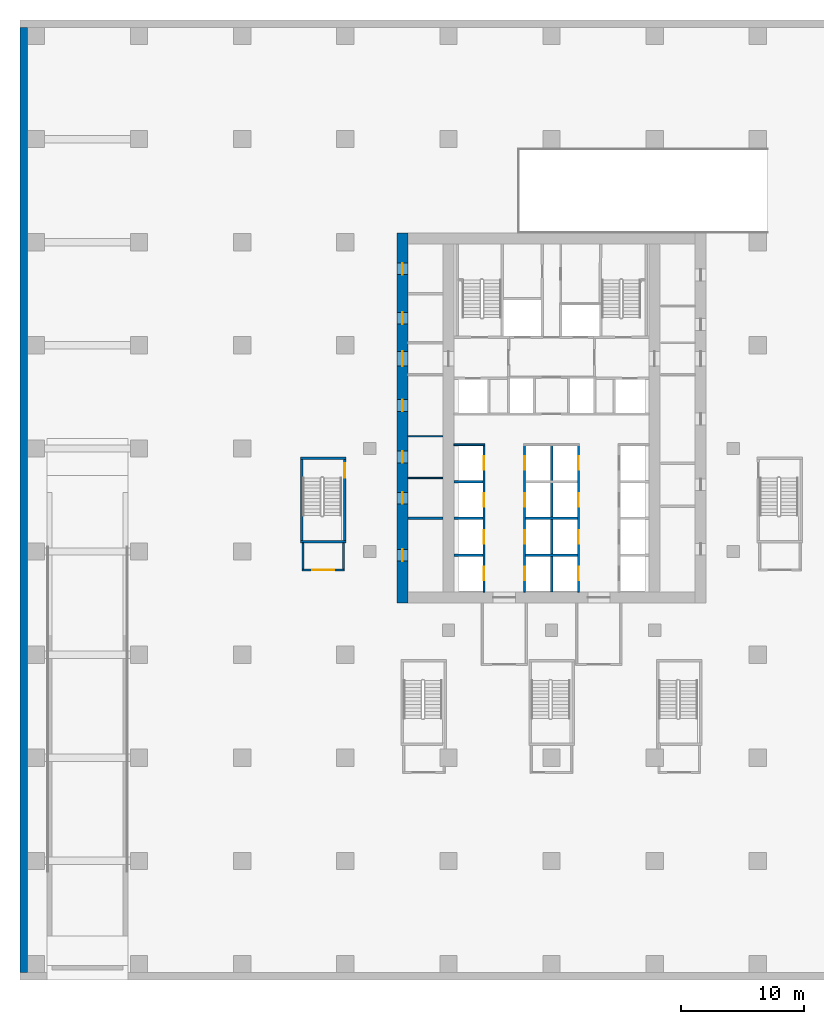
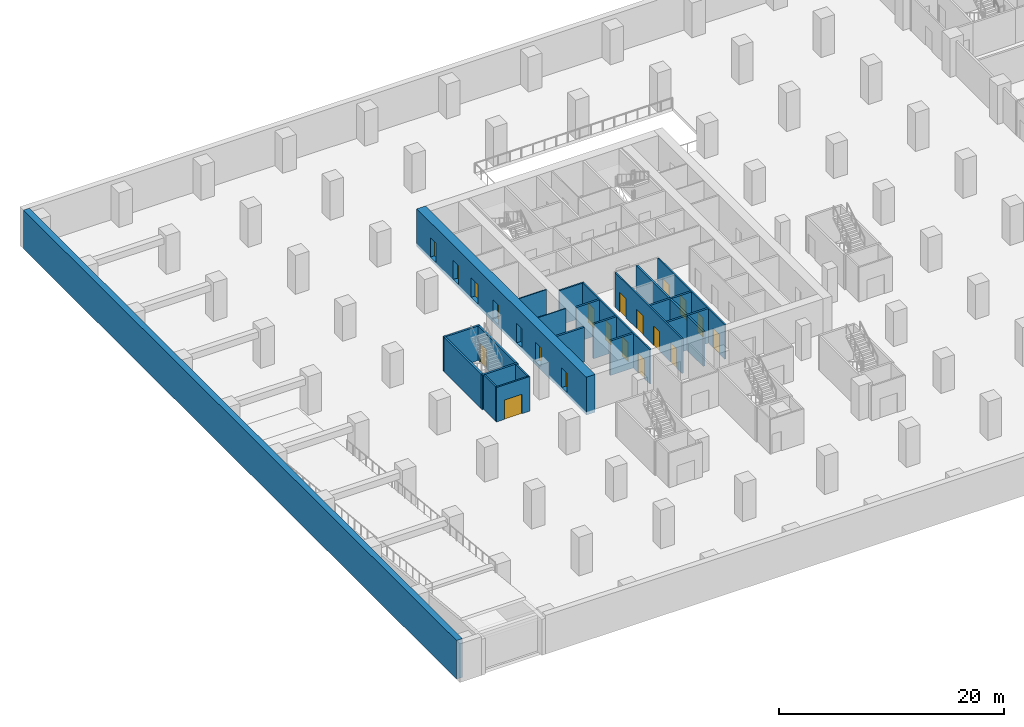
# One storey, part 5 of 17: 22 walls, 21 doors, 21 openings.
"""IFC4 building model written with IfcOpenShell, lengths in metres."""

import ifcopenshell
import ifcopenshell.guid

model = None  # the IFC model being written
_history = None  # IfcOwnerHistory: only IFC2X3 demands one
_inside = {}  # id of a spatial element -> (the spatial element, [elements in it])
_under = {}  # id of a project, library or spatial element -> (it, [spatial elements below it])
_declared = {}  # id of a project -> (the project, [libraries it declares])
_typed = {}  # id of a type object -> (the type object, [elements of that type])
_made_of = {}  # id of a material, layer set ... -> (it, [elements and type objects made of it])


def new_model(schema):
    """Start an empty IFC model of exactly this schema.

    Asked for "IFC4X3", IfcOpenShell would pick the latest addendum, in which some entities
    have other attributes; the version numbers below select the first issue.
    IFC2X3 requires an IfcOwnerHistory on every rooted entity: one is made here for all.
    """
    global model, _history
    if schema == "IFC4X3":
        model = ifcopenshell.file(schema_version=(4, 3, 0, 0))
    else:
        model = ifcopenshell.file(schema=schema)
    _inside.clear()
    _under.clear()
    _declared.clear()
    _typed.clear()
    _made_of.clear()
    _history = None
    if model.schema == "IFC2X3":
        org = make("IfcOrganization", Name="unknown")
        user = make(
            "IfcPersonAndOrganization",
            ThePerson=make("IfcPerson", FamilyName="unknown"),
            TheOrganization=org,
        )
        app = make(
            "IfcApplication",
            ApplicationDeveloper=org,
            Version="unknown",
            ApplicationFullName="unknown",
            ApplicationIdentifier="unknown",
        )
        _history = make(
            "IfcOwnerHistory",
            OwningUser=user,
            OwningApplication=app,
            ChangeAction="ADDED",
            CreationDate=0,
        )
    return model


def make(cls, **values):
    """One entity of the class cls with the attributes given. An attribute that is None is left unset."""
    return model.create_entity(
        cls, **{name: value for name, value in values.items() if value is not None}
    )


def rooted(cls, **values):
    """An entity with a GlobalId (a new one), such as an element, a storey or a relation."""
    return make(cls, GlobalId=ifcopenshell.guid.new(), OwnerHistory=_history, **values)


def si_unit(unit_type, name, prefix=None):
    """IfcSIUnit, for example si_unit("LENGTHUNIT", "METRE", prefix="MILLI")."""
    return make("IfcSIUnit", UnitType=unit_type, Prefix=prefix, Name=name)


def assignment(units):
    """IfcUnitAssignment: the units of a project."""
    return None if units is None else make("IfcUnitAssignment", Units=units)


def point(xyz):
    """IfcCartesianPoint."""
    return None if xyz is None else make("IfcCartesianPoint", Coordinates=xyz)


def direction(xyz):
    """IfcDirection."""
    return None if xyz is None else make("IfcDirection", DirectionRatios=xyz)


def frame(location, z_axis=None, x_axis=None):
    """IfcAxis2Placement3D, a coordinate frame: its origin and axes. An axis left out is left unset."""
    return make(
        "IfcAxis2Placement3D",
        Location=point(location),
        Axis=direction(z_axis),
        RefDirection=direction(x_axis),
    )


def frame_2d(location, x_axis=None):
    """IfcAxis2Placement2D, a coordinate frame in the plane: its origin and x axis."""
    return make(
        "IfcAxis2Placement2D", Location=point(location), RefDirection=direction(x_axis)
    )


def origin():
    """The frame at (0, 0, 0) with its axes left unset."""
    return frame((0.0, 0.0, 0.0))


def place(relative_to, where):
    """IfcLocalPlacement: puts the frame where relative to a parent placement (None: the world)."""
    return make(
        "IfcLocalPlacement", PlacementRelTo=relative_to, RelativePlacement=where
    )


def context(
    kind, dimensions, precision=None, world=None, true_north=None, identifier=None
):
    """IfcGeometricRepresentationContext, for example the 3D "Model" context."""
    return make(
        "IfcGeometricRepresentationContext",
        ContextIdentifier=identifier,
        ContextType=kind,
        CoordinateSpaceDimension=dimensions,
        Precision=precision,
        WorldCoordinateSystem=world,
        TrueNorth=true_north,
    )


def subcontext(parent, identifier, kind, view, scale=None):
    """IfcGeometricRepresentationSubContext, for example "Body" below "Model"."""
    return make(
        "IfcGeometricRepresentationSubContext",
        ContextIdentifier=identifier,
        ContextType=kind,
        ParentContext=parent,
        TargetScale=scale,
        TargetView=view,
    )


def project(units=None, contexts=None):
    """IfcProject with its units and contexts."""
    return rooted(
        "IfcProject",
        Name="project",
        RepresentationContexts=contexts,
        UnitsInContext=assignment(units),
    )


def spatial(cls, under=None, at=None, **own):
    """A site, building, storey or space (cls), placed at a placement, below another one or the project."""
    s = rooted(cls, ObjectPlacement=at, **own)
    if under is not None:
        _under.setdefault(under.id(), (under, []))[1].append(s)
    return s


def profile(cls, at=None, kind="AREA", **sizes):
    """A parametric profile (cls). Its sizes go by their IFC names, for example OverallWidth=200.0."""
    return make(cls, ProfileType=kind, Position=at, **sizes)


def rectangle(**sizes):
    """IfcRectangleProfileDef."""
    return profile("IfcRectangleProfileDef", **sizes)


def extrude(swept, where, along, depth):
    """IfcExtrudedAreaSolid: the profile swept, set in the frame where, extruded along a direction by depth."""
    return make(
        "IfcExtrudedAreaSolid",
        SweptArea=swept,
        Position=where,
        ExtrudedDirection=direction(along),
        Depth=depth,
    )


def shape(context_of_items, identifier, shape_type, items):
    """IfcShapeRepresentation: the items that make up one representation, for example the "Body"."""
    return make(
        "IfcShapeRepresentation",
        ContextOfItems=context_of_items,
        RepresentationIdentifier=identifier,
        RepresentationType=shape_type,
        Items=items,
    )


def material(Name=None, Category=None):
    """IfcMaterial."""
    return make("IfcMaterial", Name=Name, Category=Category)


def layer(
    of_material, thickness, ventilated=None, Name=None, Category=None, Priority=None
):
    """IfcMaterialLayer: one layer of a wall or slab, of a material (None: an air gap)."""
    return make(
        "IfcMaterialLayer",
        Material=of_material,
        LayerThickness=thickness,
        IsVentilated=ventilated,
        Name=Name,
        Category=Category,
        Priority=Priority,
    )


def layer_set(layers, Name=None):
    """IfcMaterialLayerSet."""
    return make("IfcMaterialLayerSet", MaterialLayers=layers, LayerSetName=Name)


def made_of(thing, what):
    """Note that an element or type object is made of a material, layer set ...; save() writes the relation."""
    if what is not None:
        _made_of.setdefault(what.id(), (what, []))[1].append(thing)
    return thing


def type_object(cls, material=None, **own):
    """A type object (cls), such as IfcWallType, which elements share."""
    return made_of(rooted(cls, **own), material)


def element(
    cls,
    number,
    at=None,
    inside=None,
    cuts=None,
    type_object=None,
    material=None,
    context=None,
    identifier="Body",
    shape_type=None,
    held_by="IfcProductDefinitionShape",
    body=None,
    shapes=None,
    **own,
):
    """One element of the class cls, such as IfcWall. Its Tag is "e" and its number.

    at: its placement. inside: the storey or other place that contains it. cuts: it is an
    opening in that element (IfcRelVoidsElement). A single representation is given by context,
    identifier, shape_type and body (its items); several are given by shapes. held_by: the class
    of the entity that holds the representations. save() writes the other relations.
    """
    e = rooted(cls, Tag="e%d" % number, ObjectPlacement=at, **own)
    if body is not None:
        shapes = [shape(context, identifier, shape_type, body)]
    if shapes is not None:
        e.Representation = make(held_by, Representations=shapes)
    if inside is not None:
        _inside.setdefault(inside.id(), (inside, []))[1].append(e)
    if cuts is not None:
        rooted(
            "IfcRelVoidsElement", RelatingBuildingElement=cuts, RelatedOpeningElement=e
        )
    if type_object is not None:
        _typed.setdefault(type_object.id(), (type_object, []))[1].append(e)
    return made_of(e, material)


def fill(opening, filler):
    """IfcRelFillsElement: the door or window that sits in an opening."""
    return rooted(
        "IfcRelFillsElement",
        RelatingOpeningElement=opening,
        RelatedBuildingElement=filler,
    )


def aggregate(whole, parts):
    """IfcRelAggregates: a whole, such as a stair, and the parts it consists of."""
    return rooted("IfcRelAggregates", RelatingObject=whole, RelatedObjects=parts)


def save(model, path):
    """Write the relations noted so far, then the file.

    IfcRelAggregates (storeys below a building ...), IfcRelContainedInSpatialStructure (elements
    in a storey), IfcRelDefinesByType, IfcRelAssociatesMaterial and IfcRelDeclares: one each for
    every whole, place, type object, material and project.
    """
    for whole, parts in _under.values():
        aggregate(whole, parts)
    for where, things in _inside.values():
        rooted(
            "IfcRelContainedInSpatialStructure",
            RelatedElements=things,
            RelatingStructure=where,
        )
    for kind, things in _typed.values():
        rooted("IfcRelDefinesByType", RelatedObjects=things, RelatingType=kind)
    for what, things in _made_of.values():
        rooted("IfcRelAssociatesMaterial", RelatedObjects=things, RelatingMaterial=what)
    for by, libraries in _declared.values():
        rooted("IfcRelDeclares", RelatingContext=by, RelatedDefinitions=libraries)
    model.write(path)


model = new_model("IFC4")

# Units and contexts
model_context = context("Model", 3, precision=1e-05, world=origin(), true_north=direction((0.0, 1.0)))
body_context = subcontext(model_context, "Body", "Model", "MODEL_VIEW")
ifc_project = project(units=[si_unit("LENGTHUNIT", "METRE"), si_unit("AREAUNIT", "SQUARE_METRE"), si_unit("VOLUMEUNIT", "CUBIC_METRE"), si_unit("PLANEANGLEUNIT", "RADIAN"), si_unit("MASSUNIT", "GRAM", prefix="KILO")], contexts=[model_context])

# Site, building, storey
site_placement = place(None, origin())
site = spatial("IfcSite", under=ifc_project, at=site_placement, CompositionType="ELEMENT")
building_placement = place(site_placement, origin())
building = spatial("IfcBuilding", under=site, at=building_placement, Name="Vermilion Ogive Tower", CompositionType="ELEMENT")
storey_placement = place(building_placement, frame((0.0, 0.0, -4.199951171875)))
storey = spatial("IfcBuildingStorey", under=building, at=storey_placement, Name="B1", CompositionType="ELEMENT", Elevation=-4.199951171875)

# Wall
ifc_material_1 = material(Name="Concrete B45", Category="concrete")
ifc_layer_1 = layer(ifc_material_1, 0.60009765625)
ifc_layer_set_1 = layer_set([ifc_layer_1], Name="Basement wall RW600")
wall_type_1 = type_object("IfcWallType", Name="Basement wall RW600", PredefinedType="SOLIDWALL", material=ifc_layer_set_1)
wall_1_placement = place(storey_placement, frame((-43.0, -38.5, 0.0), z_axis=(0.0, 0.0, 1.0), x_axis=(0.0, 1.0, 0.0)))
element("IfcWall", 1, at=wall_1_placement, inside=storey, type_object=wall_type_1, Name="Retaining wall B1 W", PredefinedType="SOLIDWALL", context=body_context, shape_type="SweptSolid", body=[
    extrude(rectangle(XDim=77.0, YDim=0.60009765625, at=frame_2d((38.5, 0.0))), origin(), (0.0, 0.0, 1.0), 4.199951171875),
])

# Wall, openings, doors
ifc_material_2 = material(Name="Concrete B80", Category="concrete")
ifc_layer_2 = layer(ifc_material_2, 0.89990234375)
ifc_layer_set_2 = layer_set([ifc_layer_2], Name="Core wall 900 B80")
wall_type_2 = type_object("IfcWallType", Name="Core wall 900 B80", PredefinedType="SHEAR", material=ifc_layer_set_2)
wall_2_placement = place(storey_placement, frame((-12.14990234375, -8.39990234375, -0.35009765625), z_axis=(0.0, 0.0, 1.0), x_axis=(0.0, 1.0, 0.0)))
wall_2 = element("IfcWall", 2, at=wall_2_placement, inside=storey, type_object=wall_type_2, Name="B1-CORE-W", PredefinedType="SHEAR", context=body_context, shape_type="SweptSolid", body=[
    extrude(rectangle(XDim=30.14990234375, YDim=0.89990234375, at=frame_2d((15.074951171875, 0.0))), origin(), (0.0, 0.0, 1.0), 4.10009765625),
])
opening_1_placement = place(wall_2_placement, frame((3.425048828125, 0.0, 0.35009765625)))
opening_1 = element("IfcOpeningElement", 3, at=opening_1_placement, cuts=wall_2, Name="Opening DAV001", PredefinedType="OPENING", context=body_context, shape_type="SweptSolid", body=[
    extrude(rectangle(XDim=0.949951171875, YDim=2.10009765625, at=frame_2d((0.47509765625, 1.050048828125))), frame((0.0, 0.4599609375, 0.0), z_axis=(0.0, -1.0, 0.0), x_axis=(1.0, 0.0, 0.0)), (0.0, 0.0, 1.0), 0.919921875),
])
opening_2_placement = place(wall_2_placement, frame((8.074951171875, 0.0, 0.35009765625)))
opening_2 = element("IfcOpeningElement", 4, at=opening_2_placement, cuts=wall_2, Name="Opening DAV002", PredefinedType="OPENING", context=body_context, shape_type="SweptSolid", body=[
    extrude(rectangle(XDim=0.949951171875, YDim=2.10009765625, at=frame_2d((0.47509765625, 1.050048828125))), frame((0.0, 0.4599609375, 0.0), z_axis=(0.0, -1.0, 0.0), x_axis=(1.0, 0.0, 0.0)), (0.0, 0.0, 1.0), 0.919921875),
])
opening_3_placement = place(wall_2_placement, frame((11.425048828125, 0.0, 0.35009765625)))
opening_3 = element("IfcOpeningElement", 5, at=opening_3_placement, cuts=wall_2, Name="Opening DAV003", PredefinedType="OPENING", context=body_context, shape_type="SweptSolid", body=[
    extrude(rectangle(XDim=0.949951171875, YDim=2.10009765625, at=frame_2d((0.47509765625, 1.050048828125))), frame((0.0, 0.4599609375, 0.0), z_axis=(0.0, -1.0, 0.0), x_axis=(1.0, 0.0, 0.0)), (0.0, 0.0, 1.0), 0.919921875),
])
opening_4_placement = place(wall_2_placement, frame((15.625, 0.0, 0.35009765625)))
opening_4 = element("IfcOpeningElement", 6, at=opening_4_placement, cuts=wall_2, Name="Opening DAV004", PredefinedType="OPENING", context=body_context, shape_type="SweptSolid", body=[
    extrude(rectangle(XDim=0.949951171875, YDim=2.10009765625, at=frame_2d((0.47509765625, 1.050048828125))), frame((0.0, 0.4599609375, 0.0), z_axis=(0.0, -1.0, 0.0), x_axis=(1.0, 0.0, 0.0)), (0.0, 0.0, 1.0), 0.919921875),
])
opening_5_placement = place(wall_2_placement, frame((22.72509765625, 0.0, 0.35009765625)))
opening_5 = element("IfcOpeningElement", 7, at=opening_5_placement, cuts=wall_2, Name="Opening DAV005", PredefinedType="OPENING", context=body_context, shape_type="SweptSolid", body=[
    extrude(rectangle(XDim=0.949951171875, YDim=2.10009765625, at=frame_2d((0.47509765625, 1.050048828125))), frame((0.0, 0.4599609375, 0.0), z_axis=(0.0, -1.0, 0.0), x_axis=(1.0, 0.0, 0.0)), (0.0, 0.0, 1.0), 0.919921875),
])
opening_6_placement = place(wall_2_placement, frame((26.75, 0.0, 0.35009765625)))
opening_6 = element("IfcOpeningElement", 8, at=opening_6_placement, cuts=wall_2, Name="Opening DAV006", PredefinedType="OPENING", context=body_context, shape_type="SweptSolid", body=[
    extrude(rectangle(XDim=0.949951171875, YDim=2.10009765625, at=frame_2d((0.47509765625, 1.050048828125))), frame((0.0, 0.4599609375, 0.0), z_axis=(0.0, -1.0, 0.0), x_axis=(1.0, 0.0, 0.0)), (0.0, 0.0, 1.0), 0.919921875),
])
opening_7_placement = place(wall_2_placement, frame((19.300048828125, 0.0, 0.35009765625)))
opening_7 = element("IfcOpeningElement", 9, at=opening_7_placement, cuts=wall_2, Name="Opening DBO001", PredefinedType="OPENING", context=body_context, shape_type="SweptSolid", body=[
    extrude(rectangle(XDim=1.199951171875, YDim=2.10009765625, at=frame_2d((0.60009765625, 1.050048828125))), frame((0.0, 0.4599609375, 0.0), z_axis=(0.0, -1.0, 0.0), x_axis=(1.0, 0.0, 0.0)), (0.0, 0.0, 1.0), 0.919921875),
])
ifc_material_3 = material(Name="Timber door leaf", Category="wood")
door_type_1 = type_object("IfcDoorType", Name="Link door 1200 x 2100 FD60S", OperationType="SINGLE_SWING_LEFT", PredefinedType="DOOR", material=ifc_material_3)
door_1_placement = place(opening_7_placement, origin())
door_1 = element("IfcDoor", 10, at=door_1_placement, inside=storey, type_object=door_type_1, Name="B1-CKW-XL", OperationType="SINGLE_SWING_LEFT", OverallHeight=2.10009765625, OverallWidth=1.199951171875, PredefinedType="DOOR", context=body_context, shape_type="SweptSolid", body=[
    extrude(rectangle(XDim=1.199951171875, YDim=2.10009765625, at=frame_2d((0.60009765625, 1.050048828125))), frame((0.0, 0.02490234375, 0.0), z_axis=(0.0, -1.0, 0.0), x_axis=(1.0, 0.0, 0.0)), (0.0, 0.0, 1.0), 0.050048828125),
])
fill(opening_7, door_1)
ifc_material_4 = material(Name="Timber door leaf", Category="wood")
door_type_2 = type_object("IfcDoorType", Name="Service door 950 x 2100 FD60", OperationType="SINGLE_SWING_LEFT", PredefinedType="DOOR", material=ifc_material_4)
door_2_placement = place(opening_1_placement, origin())
door_2 = element("IfcDoor", 11, at=door_2_placement, inside=storey, type_object=door_type_2, Name="B1-CKW-XR0", OperationType="SINGLE_SWING_LEFT", OverallHeight=2.10009765625, OverallWidth=0.949951171875, PredefinedType="DOOR", context=body_context, shape_type="SweptSolid", body=[
    extrude(rectangle(XDim=0.949951171875, YDim=2.10009765625, at=frame_2d((0.47509765625, 1.050048828125))), frame((0.0, 0.02490234375, 0.0), z_axis=(0.0, -1.0, 0.0), x_axis=(1.0, 0.0, 0.0)), (0.0, 0.0, 1.0), 0.050048828125),
])
fill(opening_1, door_2)
door_3_placement = place(opening_2_placement, origin())
door_3 = element("IfcDoor", 12, at=door_3_placement, inside=storey, type_object=door_type_2, Name="B1-CKW-XR1", OperationType="SINGLE_SWING_LEFT", OverallHeight=2.10009765625, OverallWidth=0.949951171875, PredefinedType="DOOR", context=body_context, shape_type="SweptSolid", body=[
    extrude(rectangle(XDim=0.949951171875, YDim=2.10009765625, at=frame_2d((0.47509765625, 1.050048828125))), frame((0.0, 0.02490234375, 0.0), z_axis=(0.0, -1.0, 0.0), x_axis=(1.0, 0.0, 0.0)), (0.0, 0.0, 1.0), 0.050048828125),
])
fill(opening_2, door_3)
door_4_placement = place(opening_3_placement, origin())
door_4 = element("IfcDoor", 13, at=door_4_placement, inside=storey, type_object=door_type_2, Name="B1-CKW-XR2", OperationType="SINGLE_SWING_LEFT", OverallHeight=2.10009765625, OverallWidth=0.949951171875, PredefinedType="DOOR", context=body_context, shape_type="SweptSolid", body=[
    extrude(rectangle(XDim=0.949951171875, YDim=2.10009765625, at=frame_2d((0.47509765625, 1.050048828125))), frame((0.0, 0.02490234375, 0.0), z_axis=(0.0, -1.0, 0.0), x_axis=(1.0, 0.0, 0.0)), (0.0, 0.0, 1.0), 0.050048828125),
])
fill(opening_3, door_4)
door_5_placement = place(opening_4_placement, origin())
door_5 = element("IfcDoor", 14, at=door_5_placement, inside=storey, type_object=door_type_2, Name="B1-CKW-XR3", OperationType="SINGLE_SWING_LEFT", OverallHeight=2.10009765625, OverallWidth=0.949951171875, PredefinedType="DOOR", context=body_context, shape_type="SweptSolid", body=[
    extrude(rectangle(XDim=0.949951171875, YDim=2.10009765625, at=frame_2d((0.47509765625, 1.050048828125))), frame((0.0, 0.02490234375, 0.0), z_axis=(0.0, -1.0, 0.0), x_axis=(1.0, 0.0, 0.0)), (0.0, 0.0, 1.0), 0.050048828125),
])
fill(opening_4, door_5)
door_6_placement = place(opening_5_placement, origin())
door_6 = element("IfcDoor", 15, at=door_6_placement, inside=storey, type_object=door_type_2, Name="B1-CKW-XR4", OperationType="SINGLE_SWING_LEFT", OverallHeight=2.10009765625, OverallWidth=0.949951171875, PredefinedType="DOOR", context=body_context, shape_type="SweptSolid", body=[
    extrude(rectangle(XDim=0.949951171875, YDim=2.10009765625, at=frame_2d((0.47509765625, 1.050048828125))), frame((0.0, 0.02490234375, 0.0), z_axis=(0.0, -1.0, 0.0), x_axis=(1.0, 0.0, 0.0)), (0.0, 0.0, 1.0), 0.050048828125),
])
fill(opening_5, door_6)
door_7_placement = place(opening_6_placement, origin())
door_7 = element("IfcDoor", 16, at=door_7_placement, inside=storey, type_object=door_type_2, Name="B1-CKW-XR5", OperationType="SINGLE_SWING_LEFT", OverallHeight=2.10009765625, OverallWidth=0.949951171875, PredefinedType="DOOR", context=body_context, shape_type="SweptSolid", body=[
    extrude(rectangle(XDim=0.949951171875, YDim=2.10009765625, at=frame_2d((0.47509765625, 1.050048828125))), frame((0.0, 0.02490234375, 0.0), z_axis=(0.0, -1.0, 0.0), x_axis=(1.0, 0.0, 0.0)), (0.0, 0.0, 1.0), 0.050048828125),
])
fill(opening_6, door_7)

# Walls
ifc_material_5 = material(Name="Gypsum board partition on steel studs", Category="steel")
ifc_layer_3 = layer(ifc_material_5, 0.10009765625)
ifc_layer_set_3 = layer_set([ifc_layer_3], Name="Partition 100 bath")
wall_type_3 = type_object("IfcWallType", Name="Partition 100 bath", PredefinedType="PARTITIONING", material=ifc_layer_set_3)
for number, where, z_axis, x_axis, name in (
    (17, (-11.698974609375, 1.800048828125, 0.0), (0.0, 0.0, 1.0), (1.0, 0.0, 0.0), "B1-CKW-W-W002"),
    (18, (-11.698974609375, 5.199951171875, 0.0), (0.0, 0.0, 1.0), (1.0, 0.0, 0.0), "B1-CKW-W-W003"),
):
    element("IfcWall", number, at=place(storey_placement, frame(where, z_axis=z_axis, x_axis=x_axis)), inside=storey, type_object=wall_type_3, Name=name, PredefinedType="PARTITIONING", context=body_context, shape_type="SweptSolid", body=[
        extrude(rectangle(XDim=2.847900390625, YDim=0.10009765625, at=frame_2d((1.423828125, 0.0))), origin(), (0.0, 0.0, 1.0), 3.75),
    ])

# Wall, opening, door
ifc_material_6 = material(Name="Gypsum board partition on steel studs", Category="steel")
ifc_layer_4 = layer(ifc_material_6, 0.14990234375)
ifc_layer_set_4 = layer_set([ifc_layer_4], Name="Partition 150 corridor")
wall_type_4 = type_object("IfcWallType", Name="Partition 150 corridor", PredefinedType="PARTITIONING", material=ifc_layer_set_4)
wall_3_placement = place(storey_placement, frame((-20.324951171875, -5.699951171875, 0.0), z_axis=(0.0, 0.0, 1.0), x_axis=(1.0, 0.0, 0.0)))
wall_3 = element("IfcWall", 19, at=wall_3_placement, inside=storey, type_object=wall_type_4, Name="B1-PK-W-W018", PredefinedType="PARTITIONING", context=body_context, shape_type="SweptSolid", body=[
    extrude(rectangle(XDim=3.449951171875, YDim=0.14990234375, at=frame_2d((1.72509765625, 0.0))), origin(), (0.0, 0.0, 1.0), 3.75),
])
opening_8_placement = place(wall_3_placement, frame((0.824951171875, 0.0, 0.0)))
opening_8 = element("IfcOpeningElement", 20, at=opening_8_placement, cuts=wall_3, Name="Opening PK1-07", PredefinedType="OPENING", context=body_context, shape_type="SweptSolid", body=[
    extrude(rectangle(XDim=1.800048828125, YDim=2.10009765625, at=frame_2d((0.89990234375, 1.050048828125))), frame((0.0, 0.0849609375, 0.0), z_axis=(0.0, -1.0, 0.0), x_axis=(1.0, 0.0, 0.0)), (0.0, 0.0, 1.0), 0.169921875),
])
ifc_material_7 = material(Name="Timber door leaf", Category="wood")
door_type_3 = type_object("IfcDoorType", Name="Lobby door 1800 x 2100 FD60S", OperationType="DOUBLE_DOOR_SINGLE_SWING", PredefinedType="DOOR", material=ifc_material_7)
door_8_placement = place(opening_8_placement, origin())
door_8 = element("IfcDoor", 21, at=door_8_placement, inside=storey, type_object=door_type_3, Name="B1-PK-D-D007", OperationType="DOUBLE_DOOR_SINGLE_SWING", OverallHeight=2.10009765625, OverallWidth=1.800048828125, PredefinedType="DOOR", context=body_context, shape_type="SweptSolid", body=[
    extrude(rectangle(XDim=1.800048828125, YDim=2.10009765625, at=frame_2d((0.89990234375, 1.050048828125))), frame((0.0, 0.02490234375, 0.0), z_axis=(0.0, -1.0, 0.0), x_axis=(1.0, 0.0, 0.0)), (0.0, 0.0, 1.0), 0.050048828125),
])
fill(opening_8, door_8)

# Walls
for number, where, z_axis, x_axis, name in (
    (22, (-20.25, -5.625, 0.0), (0.0, 0.0, 1.0), (0.0, 1.0, 0.0), "B1-PK-W-W038"),
    (23, (-16.949951171875, -5.625, 0.0), (0.0, 0.0, 1.0), (0.0, 1.0, 0.0), "B1-PK-W-W039"),
):
    element("IfcWall", number, at=place(storey_placement, frame(where, z_axis=z_axis, x_axis=x_axis)), inside=storey, type_object=wall_type_4, Name=name, PredefinedType="PARTITIONING", context=body_context, shape_type="SweptSolid", body=[
        extrude(rectangle(XDim=2.125, YDim=0.14990234375, at=frame_2d((1.0625, 0.0))), origin(), (0.0, 0.0, 1.0), 3.75),
    ])
wall_4_placement = place(storey_placement, frame((-7.948974609375, 4.5, 0.0), z_axis=(0.0, 0.0, 1.0), x_axis=(1.0, 0.0, 0.0)))
element("IfcWall", 24, at=wall_4_placement, inside=storey, type_object=wall_type_4, Name="B1-CK-W-W010", PredefinedType="PARTITIONING", context=body_context, shape_type="SweptSolid", body=[
    extrude(rectangle(XDim=2.52392578125, YDim=0.14990234375, at=frame_2d((1.261962890625, 0.0))), origin(), (0.0, 0.0, 1.0), 3.75),
])

# Wall, openings, doors
wall_5_placement = place(storey_placement, frame((-5.5, -7.4990234375, 0.0), z_axis=(0.0, 0.0, 1.0), x_axis=(0.0, 1.0, 0.0)))
wall_5 = element("IfcWall", 25, at=wall_5_placement, inside=storey, type_object=wall_type_4, Name="B1-CK-W-W022", PredefinedType="PARTITIONING", context=body_context, shape_type="SweptSolid", body=[
    extrude(rectangle(XDim=11.924072265625, YDim=0.14990234375, at=frame_2d((5.9619140625, 0.0))), origin(), (0.0, 0.0, 1.0), 3.75),
])
opening_9_placement = place(wall_5_placement, frame((0.948974609375, 0.0, 0.0)))
opening_9 = element("IfcOpeningElement", 26, at=opening_9_placement, cuts=wall_5, Name="Opening DAG010", PredefinedType="OPENING", context=body_context, shape_type="SweptSolid", body=[
    extrude(rectangle(XDim=1.10009765625, YDim=2.10009765625, at=frame_2d((0.550048828125, 1.050048828125))), frame((0.0, 0.0849609375, 0.0), z_axis=(0.0, -1.0, 0.0), x_axis=(1.0, 0.0, 0.0)), (0.0, 0.0, 1.0), 0.169921875),
])
opening_10_placement = place(wall_5_placement, frame((3.948974609375, 0.0, 0.0)))
opening_10 = element("IfcOpeningElement", 27, at=opening_10_placement, cuts=wall_5, Name="Opening DAG021", PredefinedType="OPENING", context=body_context, shape_type="SweptSolid", body=[
    extrude(rectangle(XDim=1.10009765625, YDim=2.10009765625, at=frame_2d((0.550048828125, 1.050048828125))), frame((0.0, 0.0849609375, 0.0), z_axis=(0.0, -1.0, 0.0), x_axis=(1.0, 0.0, 0.0)), (0.0, 0.0, 1.0), 0.169921875),
])
opening_11_placement = place(wall_5_placement, frame((6.948974609375, 0.0, 0.0)))
opening_11 = element("IfcOpeningElement", 28, at=opening_11_placement, cuts=wall_5, Name="Opening DAG022", PredefinedType="OPENING", context=body_context, shape_type="SweptSolid", body=[
    extrude(rectangle(XDim=1.10009765625, YDim=2.10009765625, at=frame_2d((0.550048828125, 1.050048828125))), frame((0.0, 0.0849609375, 0.0), z_axis=(0.0, -1.0, 0.0), x_axis=(1.0, 0.0, 0.0)), (0.0, 0.0, 1.0), 0.169921875),
])
opening_12_placement = place(wall_5_placement, frame((9.948974609375, 0.0, 0.0)))
opening_12 = element("IfcOpeningElement", 29, at=opening_12_placement, cuts=wall_5, Name="Opening DAG023", PredefinedType="OPENING", context=body_context, shape_type="SweptSolid", body=[
    extrude(rectangle(XDim=1.10009765625, YDim=2.10009765625, at=frame_2d((0.550048828125, 1.050048828125))), frame((0.0, 0.0849609375, 0.0), z_axis=(0.0, -1.0, 0.0), x_axis=(1.0, 0.0, 0.0)), (0.0, 0.0, 1.0), 0.169921875),
])
ifc_material_8 = material(Name="Stainless steel", Category="steel")
door_type_4 = type_object("IfcDoorType", Name="Lift landing door 1100 x 2100", OperationType="SLIDING_TO_LEFT", PredefinedType="DOOR", material=ifc_material_8)
door_9_placement = place(opening_9_placement, origin())
door_9 = element("IfcDoor", 30, at=door_9_placement, inside=storey, type_object=door_type_4, Name="B1-CK-D-D001", OperationType="SLIDING_TO_RIGHT", OverallHeight=2.10009765625, OverallWidth=1.10009765625, PredefinedType="DOOR", context=body_context, shape_type="SweptSolid", body=[
    extrude(rectangle(XDim=1.10009765625, YDim=2.10009765625, at=frame_2d((0.550048828125, 1.050048828125))), frame((0.0, 0.02490234375, 0.0), z_axis=(0.0, -1.0, 0.0), x_axis=(1.0, 0.0, 0.0)), (0.0, 0.0, 1.0), 0.050048828125),
])
fill(opening_9, door_9)
door_10_placement = place(opening_10_placement, origin())
door_10 = element("IfcDoor", 31, at=door_10_placement, inside=storey, type_object=door_type_4, Name="B1-CK-D-D002", OperationType="SLIDING_TO_RIGHT", OverallHeight=2.10009765625, OverallWidth=1.10009765625, PredefinedType="DOOR", context=body_context, shape_type="SweptSolid", body=[
    extrude(rectangle(XDim=1.10009765625, YDim=2.10009765625, at=frame_2d((0.550048828125, 1.050048828125))), frame((0.0, 0.02490234375, 0.0), z_axis=(0.0, -1.0, 0.0), x_axis=(1.0, 0.0, 0.0)), (0.0, 0.0, 1.0), 0.050048828125),
])
fill(opening_10, door_10)
door_11_placement = place(opening_11_placement, origin())
door_11 = element("IfcDoor", 32, at=door_11_placement, inside=storey, type_object=door_type_4, Name="B1-CK-D-D003", OperationType="SLIDING_TO_RIGHT", OverallHeight=2.10009765625, OverallWidth=1.10009765625, PredefinedType="DOOR", context=body_context, shape_type="SweptSolid", body=[
    extrude(rectangle(XDim=1.10009765625, YDim=2.10009765625, at=frame_2d((0.550048828125, 1.050048828125))), frame((0.0, 0.02490234375, 0.0), z_axis=(0.0, -1.0, 0.0), x_axis=(1.0, 0.0, 0.0)), (0.0, 0.0, 1.0), 0.050048828125),
])
fill(opening_11, door_11)
door_12_placement = place(opening_12_placement, origin())
door_12 = element("IfcDoor", 33, at=door_12_placement, inside=storey, type_object=door_type_4, Name="B1-CK-D-D004", OperationType="SLIDING_TO_RIGHT", OverallHeight=2.10009765625, OverallWidth=1.10009765625, PredefinedType="DOOR", context=body_context, shape_type="SweptSolid", body=[
    extrude(rectangle(XDim=1.10009765625, YDim=2.10009765625, at=frame_2d((0.550048828125, 1.050048828125))), frame((0.0, 0.02490234375, 0.0), z_axis=(0.0, -1.0, 0.0), x_axis=(1.0, 0.0, 0.0)), (0.0, 0.0, 1.0), 0.050048828125),
])
fill(opening_12, door_12)

wall_6_placement = place(storey_placement, frame((-2.199951171875, -7.4990234375, 0.0), z_axis=(0.0, 0.0, 1.0), x_axis=(0.0, 1.0, 0.0)))
wall_6 = element("IfcWall", 34, at=wall_6_placement, inside=storey, type_object=wall_type_4, Name="B1-CK-W-W027", PredefinedType="PARTITIONING", context=body_context, shape_type="SweptSolid", body=[
    extrude(rectangle(XDim=11.924072265625, YDim=0.14990234375, at=frame_2d((5.9619140625, 0.0))), origin(), (0.0, 0.0, 1.0), 3.75),
])
opening_13_placement = place(wall_6_placement, frame((0.948974609375, 0.0, 0.0)))
opening_13 = element("IfcOpeningElement", 35, at=opening_13_placement, cuts=wall_6, Name="Opening DAG024", PredefinedType="OPENING", context=body_context, shape_type="SweptSolid", body=[
    extrude(rectangle(XDim=1.10009765625, YDim=2.10009765625, at=frame_2d((0.550048828125, 1.050048828125))), frame((0.0, 0.0849609375, 0.0), z_axis=(0.0, -1.0, 0.0), x_axis=(1.0, 0.0, 0.0)), (0.0, 0.0, 1.0), 0.169921875),
])
opening_14_placement = place(wall_6_placement, frame((3.948974609375, 0.0, 0.0)))
opening_14 = element("IfcOpeningElement", 36, at=opening_14_placement, cuts=wall_6, Name="Opening DAG025", PredefinedType="OPENING", context=body_context, shape_type="SweptSolid", body=[
    extrude(rectangle(XDim=1.10009765625, YDim=2.10009765625, at=frame_2d((0.550048828125, 1.050048828125))), frame((0.0, 0.0849609375, 0.0), z_axis=(0.0, -1.0, 0.0), x_axis=(1.0, 0.0, 0.0)), (0.0, 0.0, 1.0), 0.169921875),
])
opening_15_placement = place(wall_6_placement, frame((6.948974609375, 0.0, 0.0)))
opening_15 = element("IfcOpeningElement", 37, at=opening_15_placement, cuts=wall_6, Name="Opening DAG026", PredefinedType="OPENING", context=body_context, shape_type="SweptSolid", body=[
    extrude(rectangle(XDim=1.10009765625, YDim=2.10009765625, at=frame_2d((0.550048828125, 1.050048828125))), frame((0.0, 0.0849609375, 0.0), z_axis=(0.0, -1.0, 0.0), x_axis=(1.0, 0.0, 0.0)), (0.0, 0.0, 1.0), 0.169921875),
])
opening_16_placement = place(wall_6_placement, frame((9.948974609375, 0.0, 0.0)))
opening_16 = element("IfcOpeningElement", 38, at=opening_16_placement, cuts=wall_6, Name="Opening DAG027", PredefinedType="OPENING", context=body_context, shape_type="SweptSolid", body=[
    extrude(rectangle(XDim=1.10009765625, YDim=2.10009765625, at=frame_2d((0.550048828125, 1.050048828125))), frame((0.0, 0.0849609375, 0.0), z_axis=(0.0, -1.0, 0.0), x_axis=(1.0, 0.0, 0.0)), (0.0, 0.0, 1.0), 0.169921875),
])
door_13_placement = place(opening_13_placement, origin())
door_13 = element("IfcDoor", 39, at=door_13_placement, inside=storey, type_object=door_type_4, Name="B1-CK-D-D005", OperationType="SLIDING_TO_RIGHT", OverallHeight=2.10009765625, OverallWidth=1.10009765625, PredefinedType="DOOR", context=body_context, shape_type="SweptSolid", body=[
    extrude(rectangle(XDim=1.10009765625, YDim=2.10009765625, at=frame_2d((0.550048828125, 1.050048828125))), frame((0.0, 0.02490234375, 0.0), z_axis=(0.0, -1.0, 0.0), x_axis=(1.0, 0.0, 0.0)), (0.0, 0.0, 1.0), 0.050048828125),
])
fill(opening_13, door_13)
door_14_placement = place(opening_14_placement, origin())
door_14 = element("IfcDoor", 40, at=door_14_placement, inside=storey, type_object=door_type_4, Name="B1-CK-D-D006", OperationType="SLIDING_TO_RIGHT", OverallHeight=2.10009765625, OverallWidth=1.10009765625, PredefinedType="DOOR", context=body_context, shape_type="SweptSolid", body=[
    extrude(rectangle(XDim=1.10009765625, YDim=2.10009765625, at=frame_2d((0.550048828125, 1.050048828125))), frame((0.0, 0.02490234375, 0.0), z_axis=(0.0, -1.0, 0.0), x_axis=(1.0, 0.0, 0.0)), (0.0, 0.0, 1.0), 0.050048828125),
])
fill(opening_14, door_14)
door_15_placement = place(opening_15_placement, origin())
door_15 = element("IfcDoor", 41, at=door_15_placement, inside=storey, type_object=door_type_4, Name="B1-CK-D-D007", OperationType="SLIDING_TO_RIGHT", OverallHeight=2.10009765625, OverallWidth=1.10009765625, PredefinedType="DOOR", context=body_context, shape_type="SweptSolid", body=[
    extrude(rectangle(XDim=1.10009765625, YDim=2.10009765625, at=frame_2d((0.550048828125, 1.050048828125))), frame((0.0, 0.02490234375, 0.0), z_axis=(0.0, -1.0, 0.0), x_axis=(1.0, 0.0, 0.0)), (0.0, 0.0, 1.0), 0.050048828125),
])
fill(opening_15, door_15)
door_16_placement = place(opening_16_placement, origin())
door_16 = element("IfcDoor", 42, at=door_16_placement, inside=storey, type_object=door_type_4, Name="B1-CK-D-D008", OperationType="SLIDING_TO_RIGHT", OverallHeight=2.10009765625, OverallWidth=1.10009765625, PredefinedType="DOOR", context=body_context, shape_type="SweptSolid", body=[
    extrude(rectangle(XDim=1.10009765625, YDim=2.10009765625, at=frame_2d((0.550048828125, 1.050048828125))), frame((0.0, 0.02490234375, 0.0), z_axis=(0.0, -1.0, 0.0), x_axis=(1.0, 0.0, 0.0)), (0.0, 0.0, 1.0), 0.050048828125),
])
fill(opening_16, door_16)

wall_7_placement = place(storey_placement, frame((2.199951171875, -7.4990234375, 0.0), z_axis=(0.0, 0.0, 1.0), x_axis=(0.0, 1.0, 0.0)))
wall_7 = element("IfcWall", 43, at=wall_7_placement, inside=storey, type_object=wall_type_4, Name="B1-CK-W-W034", PredefinedType="PARTITIONING", context=body_context, shape_type="SweptSolid", body=[
    extrude(rectangle(XDim=11.924072265625, YDim=0.14990234375, at=frame_2d((5.9619140625, 0.0))), origin(), (0.0, 0.0, 1.0), 3.75),
])
opening_17_placement = place(wall_7_placement, frame((0.948974609375, 0.0, 0.0)))
opening_17 = element("IfcOpeningElement", 44, at=opening_17_placement, cuts=wall_7, Name="Opening DAG028", PredefinedType="OPENING", context=body_context, shape_type="SweptSolid", body=[
    extrude(rectangle(XDim=1.10009765625, YDim=2.10009765625, at=frame_2d((0.550048828125, 1.050048828125))), frame((0.0, 0.0849609375, 0.0), z_axis=(0.0, -1.0, 0.0), x_axis=(1.0, 0.0, 0.0)), (0.0, 0.0, 1.0), 0.169921875),
])
opening_18_placement = place(wall_7_placement, frame((3.948974609375, 0.0, 0.0)))
opening_18 = element("IfcOpeningElement", 45, at=opening_18_placement, cuts=wall_7, Name="Opening DAG011", PredefinedType="OPENING", context=body_context, shape_type="SweptSolid", body=[
    extrude(rectangle(XDim=1.10009765625, YDim=2.10009765625, at=frame_2d((0.550048828125, 1.050048828125))), frame((0.0, 0.0849609375, 0.0), z_axis=(0.0, -1.0, 0.0), x_axis=(1.0, 0.0, 0.0)), (0.0, 0.0, 1.0), 0.169921875),
])
opening_19_placement = place(wall_7_placement, frame((6.948974609375, 0.0, 0.0)))
opening_19 = element("IfcOpeningElement", 46, at=opening_19_placement, cuts=wall_7, Name="Opening DAG012", PredefinedType="OPENING", context=body_context, shape_type="SweptSolid", body=[
    extrude(rectangle(XDim=1.10009765625, YDim=2.10009765625, at=frame_2d((0.550048828125, 1.050048828125))), frame((0.0, 0.0849609375, 0.0), z_axis=(0.0, -1.0, 0.0), x_axis=(1.0, 0.0, 0.0)), (0.0, 0.0, 1.0), 0.169921875),
])
opening_20_placement = place(wall_7_placement, frame((9.948974609375, 0.0, 0.0)))
opening_20 = element("IfcOpeningElement", 47, at=opening_20_placement, cuts=wall_7, Name="Opening DAG013", PredefinedType="OPENING", context=body_context, shape_type="SweptSolid", body=[
    extrude(rectangle(XDim=1.10009765625, YDim=2.10009765625, at=frame_2d((0.550048828125, 1.050048828125))), frame((0.0, 0.0849609375, 0.0), z_axis=(0.0, -1.0, 0.0), x_axis=(1.0, 0.0, 0.0)), (0.0, 0.0, 1.0), 0.169921875),
])
door_17_placement = place(opening_17_placement, origin())
door_17 = element("IfcDoor", 48, at=door_17_placement, inside=storey, type_object=door_type_4, Name="B1-CK-D-D009", OperationType="SLIDING_TO_RIGHT", OverallHeight=2.10009765625, OverallWidth=1.10009765625, PredefinedType="DOOR", context=body_context, shape_type="SweptSolid", body=[
    extrude(rectangle(XDim=1.10009765625, YDim=2.10009765625, at=frame_2d((0.550048828125, 1.050048828125))), frame((0.0, 0.02490234375, 0.0), z_axis=(0.0, -1.0, 0.0), x_axis=(1.0, 0.0, 0.0)), (0.0, 0.0, 1.0), 0.050048828125),
])
fill(opening_17, door_17)
door_18_placement = place(opening_18_placement, origin())
door_18 = element("IfcDoor", 49, at=door_18_placement, inside=storey, type_object=door_type_4, Name="B1-CK-D-D010", OperationType="SLIDING_TO_RIGHT", OverallHeight=2.10009765625, OverallWidth=1.10009765625, PredefinedType="DOOR", context=body_context, shape_type="SweptSolid", body=[
    extrude(rectangle(XDim=1.10009765625, YDim=2.10009765625, at=frame_2d((0.550048828125, 1.050048828125))), frame((0.0, 0.02490234375, 0.0), z_axis=(0.0, -1.0, 0.0), x_axis=(1.0, 0.0, 0.0)), (0.0, 0.0, 1.0), 0.050048828125),
])
fill(opening_18, door_18)
door_19_placement = place(opening_19_placement, origin())
door_19 = element("IfcDoor", 50, at=door_19_placement, inside=storey, type_object=door_type_4, Name="B1-CK-D-D011", OperationType="SLIDING_TO_RIGHT", OverallHeight=2.10009765625, OverallWidth=1.10009765625, PredefinedType="DOOR", context=body_context, shape_type="SweptSolid", body=[
    extrude(rectangle(XDim=1.10009765625, YDim=2.10009765625, at=frame_2d((0.550048828125, 1.050048828125))), frame((0.0, 0.02490234375, 0.0), z_axis=(0.0, -1.0, 0.0), x_axis=(1.0, 0.0, 0.0)), (0.0, 0.0, 1.0), 0.050048828125),
])
fill(opening_19, door_19)
door_20_placement = place(opening_20_placement, origin())
door_20 = element("IfcDoor", 51, at=door_20_placement, inside=storey, type_object=door_type_4, Name="B1-CK-D-D012", OperationType="SLIDING_TO_RIGHT", OverallHeight=2.10009765625, OverallWidth=1.10009765625, PredefinedType="DOOR", context=body_context, shape_type="SweptSolid", body=[
    extrude(rectangle(XDim=1.10009765625, YDim=2.10009765625, at=frame_2d((0.550048828125, 1.050048828125))), frame((0.0, 0.02490234375, 0.0), z_axis=(0.0, -1.0, 0.0), x_axis=(1.0, 0.0, 0.0)), (0.0, 0.0, 1.0), 0.050048828125),
])
fill(opening_20, door_20)

# Walls
ifc_material_9 = material(Name="Gypsum board partition on steel studs", Category="steel")
ifc_layer_5 = layer(ifc_material_9, 0.199951171875)
ifc_layer_set_5 = layer_set([ifc_layer_5], Name="Partition 200 party")
wall_type_5 = type_object("IfcWallType", Name="Partition 200 party", PredefinedType="PARTITIONING", material=ifc_layer_set_5)
wall_8_placement = place(storey_placement, frame((-7.948974609375, -4.5, 0.0), z_axis=(0.0, 0.0, 1.0), x_axis=(1.0, 0.0, 0.0)))
element("IfcWall", 52, at=wall_8_placement, inside=storey, type_object=wall_type_5, Name="B1-CK-W-W001", PredefinedType="PARTITIONING", context=body_context, shape_type="SweptSolid", body=[
    extrude(rectangle(XDim=2.3740234375, YDim=0.199951171875, at=frame_2d((1.18701171875, 0.0))), origin(), (0.0, 0.0, 1.0), 3.75),
])
wall_9_placement = place(storey_placement, frame((-2.125, -4.5, 0.0), z_axis=(0.0, 0.0, 1.0), x_axis=(1.0, 0.0, 0.0)))
element("IfcWall", 53, at=wall_9_placement, inside=storey, type_object=wall_type_5, Name="B1-CK-W-W002", PredefinedType="PARTITIONING", context=body_context, shape_type="SweptSolid", body=[
    extrude(rectangle(XDim=4.25, YDim=0.199951171875, at=frame_2d((2.125, 0.0))), origin(), (0.0, 0.0, 1.0), 3.75),
])
wall_10_placement = place(storey_placement, frame((-7.948974609375, -1.5, 0.0), z_axis=(0.0, 0.0, 1.0), x_axis=(1.0, 0.0, 0.0)))
element("IfcWall", 54, at=wall_10_placement, inside=storey, type_object=wall_type_5, Name="B1-CK-W-W004", PredefinedType="PARTITIONING", context=body_context, shape_type="SweptSolid", body=[
    extrude(rectangle(XDim=2.3740234375, YDim=0.199951171875, at=frame_2d((1.18701171875, 0.0))), origin(), (0.0, 0.0, 1.0), 3.75),
])
wall_11_placement = place(storey_placement, frame((-2.125, -1.5, 0.0), z_axis=(0.0, 0.0, 1.0), x_axis=(1.0, 0.0, 0.0)))
element("IfcWall", 55, at=wall_11_placement, inside=storey, type_object=wall_type_5, Name="B1-CK-W-W005", PredefinedType="PARTITIONING", context=body_context, shape_type="SweptSolid", body=[
    extrude(rectangle(XDim=4.25, YDim=0.199951171875, at=frame_2d((2.125, 0.0))), origin(), (0.0, 0.0, 1.0), 3.75),
])
wall_12_placement = place(storey_placement, frame((-7.948974609375, 1.5, 0.0), z_axis=(0.0, 0.0, 1.0), x_axis=(1.0, 0.0, 0.0)))
element("IfcWall", 56, at=wall_12_placement, inside=storey, type_object=wall_type_5, Name="B1-CK-W-W007", PredefinedType="PARTITIONING", context=body_context, shape_type="SweptSolid", body=[
    extrude(rectangle(XDim=2.3740234375, YDim=0.199951171875, at=frame_2d((1.18701171875, 0.0))), origin(), (0.0, 0.0, 1.0), 3.75),
])
wall_13_placement = place(storey_placement, frame((0.0, -7.4990234375, 0.0), z_axis=(0.0, 0.0, 1.0), x_axis=(0.0, 1.0, 0.0)))
element("IfcWall", 57, at=wall_13_placement, inside=storey, type_object=wall_type_5, Name="B1-CK-W-W030", PredefinedType="PARTITIONING", context=body_context, shape_type="SweptSolid", body=[
    extrude(rectangle(XDim=11.924072265625, YDim=0.199951171875, at=frame_2d((5.9619140625, 0.0))), origin(), (0.0, 0.0, 1.0), 3.75),
])
wall_14_placement = place(storey_placement, frame((-11.698974609375, -1.5, 0.0), z_axis=(0.0, 0.0, 1.0), x_axis=(1.0, 0.0, 0.0)))
element("IfcWall", 58, at=wall_14_placement, inside=storey, type_object=wall_type_5, Name="B1-CKW-W-W001", PredefinedType="PARTITIONING", context=body_context, shape_type="SweptSolid", body=[
    extrude(rectangle(XDim=2.847900390625, YDim=0.199951171875, at=frame_2d((1.423828125, 0.0))), origin(), (0.0, 0.0, 1.0), 3.75),
])
ifc_material_10 = material(Name="Concrete B60", Category="concrete")
ifc_layer_6 = layer(ifc_material_10, 0.199951171875)
ifc_layer_set_6 = layer_set([ifc_layer_6], Name="Stair shaft wall 200 Concrete B60")
wall_type_6 = type_object("IfcWallType", Name="Stair shaft wall 200 Concrete B60", PredefinedType="SOLIDWALL", material=ifc_layer_set_6)
for number, where, z_axis, x_axis, name in (
    (59, (-20.449951171875, -3.39990234375, 0.0), (0.0, 0.0, 1.0), (1.0, 0.0, 0.0), "B1-SW-ST9-S1"),
    (60, (-20.449951171875, 3.39990234375, 0.0), (0.0, 0.0, 1.0), (1.0, 0.0, 0.0), "B1-SW-ST9-N1"),
):
    element("IfcWall", number, at=place(storey_placement, frame(where, z_axis=z_axis, x_axis=x_axis)), inside=storey, type_object=wall_type_6, Name=name, PredefinedType="SOLIDWALL", context=body_context, shape_type="SweptSolid", body=[
        extrude(rectangle(XDim=3.699951171875, YDim=0.199951171875, at=frame_2d((1.85009765625, 0.0))), origin(), (0.0, 0.0, 1.0), 3.75),
    ])
wall_15_placement = place(storey_placement, frame((-20.35009765625, -3.300048828125, 0.0), z_axis=(0.0, 0.0, 1.0), x_axis=(0.0, 1.0, 0.0)))
element("IfcWall", 61, at=wall_15_placement, inside=storey, type_object=wall_type_6, Name="B1-SW-ST9-W1", PredefinedType="SOLIDWALL", context=body_context, shape_type="SweptSolid", body=[
    extrude(rectangle(XDim=6.60009765625, YDim=0.199951171875, at=frame_2d((3.300048828125, 0.0))), origin(), (0.0, 0.0, 1.0), 3.75),
])

# Wall, opening, door
wall_16_placement = place(storey_placement, frame((-16.85009765625, -3.300048828125, 0.0), z_axis=(0.0, 0.0, 1.0), x_axis=(0.0, 1.0, 0.0)))
wall_16 = element("IfcWall", 62, at=wall_16_placement, inside=storey, type_object=wall_type_6, Name="B1-SW-ST9-E1", PredefinedType="SOLIDWALL", context=body_context, shape_type="SweptSolid", body=[
    extrude(rectangle(XDim=6.60009765625, YDim=0.199951171875, at=frame_2d((3.300048828125, 0.0))), origin(), (0.0, 0.0, 1.0), 3.75),
])
opening_21_placement = place(wall_16_placement, frame((5.10009765625, 0.0, 0.0)))
opening_21 = element("IfcOpeningElement", 63, at=opening_21_placement, cuts=wall_16, Name="Opening DBI002", PredefinedType="OPENING", context=body_context, shape_type="SweptSolid", body=[
    extrude(rectangle(XDim=1.199951171875, YDim=2.10009765625, at=frame_2d((0.60009765625, 1.050048828125))), frame((0.0, 0.10986328125, 0.0), z_axis=(0.0, -1.0, 0.0), x_axis=(1.0, 0.0, 0.0)), (0.0, 0.0, 1.0), 0.219970703125),
])
ifc_material_11 = material(Name="Timber door leaf", Category="wood")
door_type_5 = type_object("IfcDoorType", Name="Stair door 1200 x 2100 FD60S", OperationType="SINGLE_SWING_LEFT", PredefinedType="DOOR", material=ifc_material_11)
door_21_placement = place(opening_21_placement, origin())
door_21 = element("IfcDoor", 64, at=door_21_placement, inside=storey, type_object=door_type_5, Name="B1-SD-ST9", OperationType="SINGLE_SWING_LEFT", OverallHeight=2.10009765625, OverallWidth=1.199951171875, PredefinedType="DOOR", context=body_context, shape_type="SweptSolid", body=[
    extrude(rectangle(XDim=1.199951171875, YDim=2.10009765625, at=frame_2d((0.60009765625, 1.050048828125))), frame((0.0, 0.02490234375, 0.0), z_axis=(0.0, -1.0, 0.0), x_axis=(1.0, 0.0, 0.0)), (0.0, 0.0, 1.0), 0.050048828125),
])
fill(opening_21, door_21)

save(model, "model.ifc")
